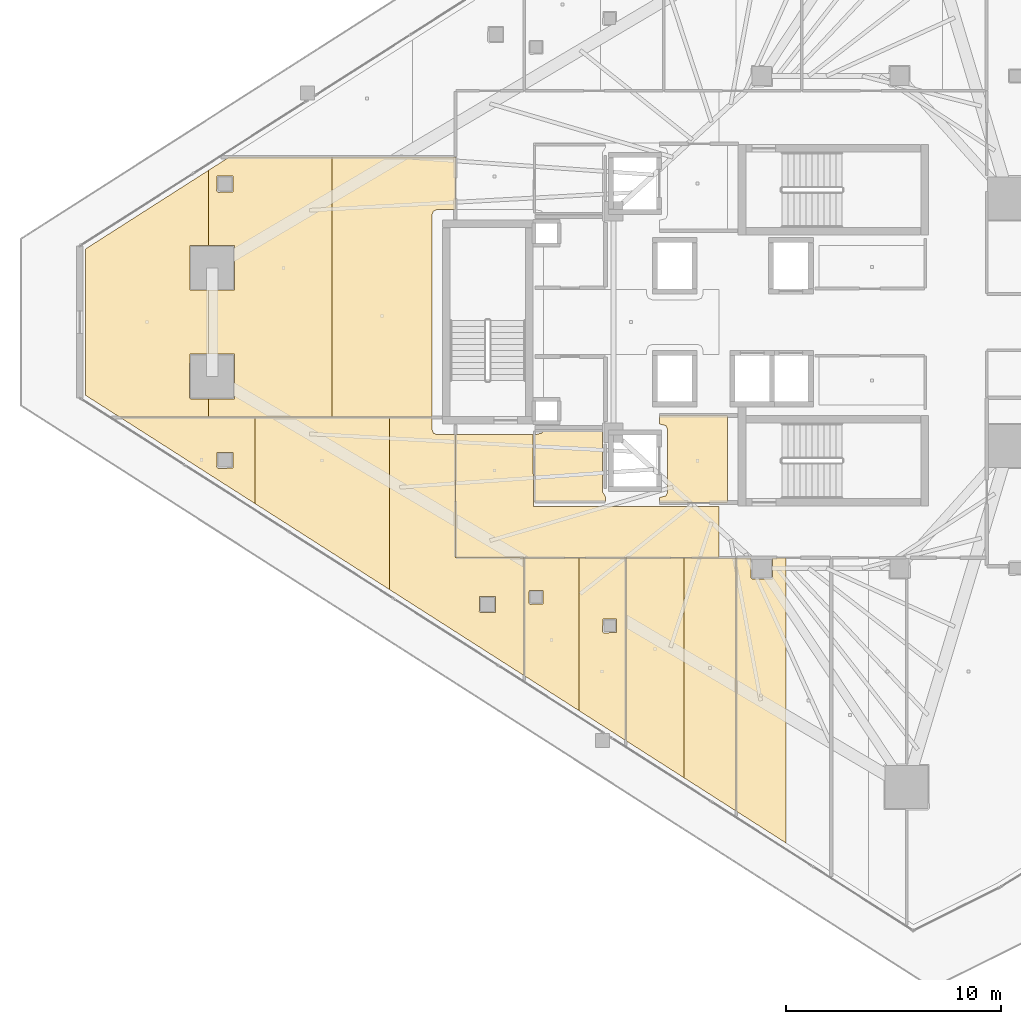
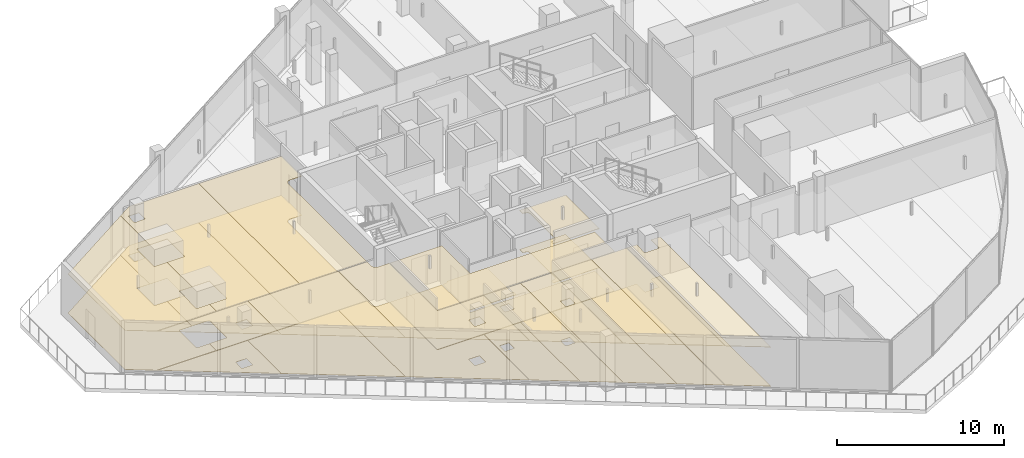
# One storey, part 31 of 37: 27 coverings.
"""IFC4 building model written with IfcOpenShell, lengths in metres."""

from ifc_helpers import new_model, si_unit, direction, frame, origin, place, context, subcontext, project, spatial, polyline, outline, extrude, material, layer, layer_set, type_object, element, save


model = new_model("IFC4")

# Units and contexts
model_context = context("Model", 3, precision=1e-05, world=origin(), true_north=direction((0.0, 1.0)))
body_context = subcontext(model_context, "Body", "Model", "MODEL_VIEW")
ifc_project = project(units=[si_unit("LENGTHUNIT", "METRE"), si_unit("AREAUNIT", "SQUARE_METRE"), si_unit("VOLUMEUNIT", "CUBIC_METRE"), si_unit("PLANEANGLEUNIT", "RADIAN"), si_unit("MASSUNIT", "GRAM", prefix="KILO")], contexts=[model_context])

# Site, building, storey
site_placement = place(None, origin())
site = spatial("IfcSite", under=ifc_project, at=site_placement, CompositionType="ELEMENT")
building_placement = place(site_placement, origin())
building = spatial("IfcBuilding", under=site, at=building_placement, Name="Qorvath Tower", CompositionType="ELEMENT")
storey_placement = place(building_placement, frame((0.0, 0.0, 188.85009765625)))
storey = spatial("IfcBuildingStorey", under=building, at=storey_placement, Name="L43", CompositionType="ELEMENT", Elevation=188.85009765625)

# Coverings
ifc_material_1 = material(Name="Acoustic mineral fibre ceiling tile", Category="gypsum")
ifc_layer_1 = layer(ifc_material_1, 0.030029296875)
ifc_layer_set_1 = layer_set([ifc_layer_1], Name="COV-CEIL")
covering_type_1 = type_object("IfcCoveringType", Name="COV-CEIL", PredefinedType="CEILING", material=ifc_layer_set_1)
covering_1_placement = place(storey_placement, frame((0.0, 0.0, 2.849853515625)))
element("IfcCovering", 1, at=covering_1_placement, inside=storey, type_object=covering_type_1, Name="L43 Suspended Acoustic Ceiling 002", PredefinedType="CEILING", context=body_context, shape_type="SweptSolid", body=[
    extrude(outline(polyline([(-25.18994140625, -8.39501953125), (-25.18994140625, -4.35498046875), (-28.375, -4.35498046875), (-28.375, -4.739990234375), (-28.063232421875, -4.813232421875), (-27.989990234375, -4.989990234375), (-27.989990234375, -7.909912109375), (-28.063232421875, -8.086669921875), (-28.375, -8.159912109375), (-28.375, -8.39501953125), (-25.18994140625, -8.39501953125)])), origin(), (0.0, 0.0, 1.0), 0.030029296875),
])
covering_2_placement = place(storey_placement, frame((0.0, 0.0, 2.849853515625)))
element("IfcCovering", 2, at=covering_2_placement, inside=storey, type_object=covering_type_1, Name="L43 Suspended Acoustic Ceiling 009", PredefinedType="CEILING", context=body_context, shape_type="SweptSolid", body=[
    extrude(outline(polyline([(-34.22509765625, -8.580078125), (-34.251220703125, -5.239990234375), (-37.844970703125, -5.239990234375), (-37.844970703125, -10.945068359375), (-25.6044921875, -10.945068359375), (-25.6044921875, -8.574462890625), (-34.22509765625, -8.580078125)])), origin(), (0.0, 0.0, 1.0), 0.030029296875),
])
covering_3_placement = place(storey_placement, frame((0.0, 0.0, 2.849853515625)))
element("IfcCovering", 3, at=covering_3_placement, inside=storey, type_object=covering_type_1, Name="L43 Suspended Acoustic Ceiling 019", PredefinedType="CEILING", context=body_context, shape_type="SweptSolid", body=[
    extrude(outline(polyline([(-34.64501953125, -10.962890625), (-34.64501953125, -16.4560546875), (-32.11865234375, -18.07080078125), (-32.11865234375, -10.962890625), (-34.64501953125, -10.962890625)]), holes=[polyline([(-34.439208984375, -13.0673828125), (-34.421630859375, -12.47509765625), (-33.786865234375, -12.47509765625), (-33.786865234375, -13.10986328125), (-34.379150390625, -13.12744140625), (-34.439208984375, -13.0673828125)])]), origin(), (0.0, 0.0, 1.0), 0.030029296875),
])
covering_4_placement = place(storey_placement, frame((0.0, 0.0, 2.849853515625)))
element("IfcCovering", 4, at=covering_4_placement, inside=storey, type_object=covering_type_1, Name="L43 Suspended Acoustic Ceiling 020", PredefinedType="CEILING", context=body_context, shape_type="SweptSolid", body=[
    extrude(outline(polyline([(-32.11865234375, -10.962890625), (-32.11865234375, -18.07080078125), (-29.942626953125, -19.46142578125), (-29.942626953125, -10.962890625), (-32.11865234375, -10.962890625)]), holes=[polyline([(-31.01220703125, -14.3994140625), (-30.99462890625, -13.806884765625), (-30.35986328125, -13.806884765625), (-30.35986328125, -14.441650390625), (-30.9521484375, -14.459228515625), (-31.01220703125, -14.3994140625)])]), origin(), (0.0, 0.0, 1.0), 0.030029296875),
])
covering_5_placement = place(storey_placement, frame((0.0, 0.0, 2.849853515625)))
element("IfcCovering", 5, at=covering_5_placement, inside=storey, type_object=covering_type_1, Name="L43 Suspended Acoustic Ceiling 021", PredefinedType="CEILING", context=body_context, shape_type="SweptSolid", body=[
    extrude(outline(polyline([(-27.22314453125, -21.199462890625), (-27.22314453125, -10.962890625), (-29.9248046875, -10.962890625), (-29.9248046875, -19.472900390625), (-27.22314453125, -21.199462890625)])), origin(), (0.0, 0.0, 1.0), 0.030029296875),
])
covering_6_placement = place(storey_placement, frame((0.0, 0.0, 2.849853515625)))
element("IfcCovering", 6, at=covering_6_placement, inside=storey, type_object=covering_type_1, Name="L43 Suspended Acoustic Ceiling 022", PredefinedType="CEILING", context=body_context, shape_type="SweptSolid", body=[
    extrude(outline(polyline([(-24.797607421875, -10.962890625), (-27.22314453125, -10.962890625), (-27.22314453125, -21.199462890625), (-24.797607421875, -22.749755859375), (-24.797607421875, -10.962890625)])), origin(), (0.0, 0.0, 1.0), 0.030029296875),
])
covering_7_placement = place(storey_placement, frame((0.0, 0.0, 2.849853515625)))
element("IfcCovering", 7, at=covering_7_placement, inside=storey, type_object=covering_type_1, Name="L43 Suspended Acoustic Ceiling 023", PredefinedType="CEILING", context=body_context, shape_type="SweptSolid", body=[
    extrude(outline(polyline([(-24.0947265625, -10.962890625), (-24.779541015625, -10.962890625), (-24.779541015625, -22.76123046875), (-22.486572265625, -24.226806640625), (-22.486572265625, -10.962890625), (-23.105224609375, -10.962890625), (-23.107666015625, -11.9423828125), (-24.050048828125, -11.9599609375), (-24.110107421875, -11.89990234375), (-24.0947265625, -10.962890625)])), origin(), (0.0, 0.0, 1.0), 0.030029296875),
])
covering_8_placement = place(storey_placement, frame((0.0, 0.0, 2.849853515625)))
element("IfcCovering", 8, at=covering_8_placement, inside=storey, type_object=covering_type_1, Name="L43 Suspended Acoustic Ceiling 039", PredefinedType="CEILING", context=body_context, shape_type="SweptSolid", body=[
    extrude(outline(polyline([(-47.185546875, -8.44091796875), (-47.185546875, -4.439208984375), (-53.44677734375, -4.439208984375), (-47.185546875, -8.44091796875)]), holes=[polyline([(-48.96337890625, -6.74951171875), (-48.94580078125, -6.05712890625), (-48.2109375, -6.05712890625), (-48.2109375, -6.7919921875), (-48.9033203125, -6.8095703125), (-48.96337890625, -6.74951171875)])]), origin(), (0.0, 0.0, 1.0), 0.030029296875),
])
covering_9_placement = place(storey_placement, frame((0.0, 0.0, 2.849853515625)))
element("IfcCovering", 9, at=covering_9_placement, inside=storey, type_object=covering_type_1, Name="L43 Suspended Acoustic Ceiling 040", PredefinedType="CEILING", context=body_context, shape_type="SweptSolid", body=[
    extrude(outline(polyline([(-40.92431640625, -12.442626953125), (-40.92431640625, -4.439208984375), (-47.185546875, -4.439208984375), (-47.185546875, -8.44091796875), (-40.92431640625, -12.442626953125)])), origin(), (0.0, 0.0, 1.0), 0.030029296875),
])
covering_10_placement = place(storey_placement, frame((0.0, 0.0, 2.849853515625)))
element("IfcCovering", 10, at=covering_10_placement, inside=storey, type_object=covering_type_1, Name="L43 Suspended Acoustic Ceiling 041", PredefinedType="CEILING", context=body_context, shape_type="SweptSolid", body=[
    extrude(outline(polyline([(-37.863037109375, -10.9580078125), (-37.863037109375, -5.239990234375), (-38.699951171875, -5.239990234375), (-38.876708984375, -5.166748046875), (-38.949951171875, -4.989990234375), (-38.949951171875, -4.439208984375), (-40.92431640625, -4.439208984375), (-40.92431640625, -12.442626953125), (-34.6630859375, -16.444580078125), (-34.6630859375, -10.962890625), (-37.863037109375, -10.9580078125)]), holes=[polyline([(-36.749755859375, -13.46044921875), (-36.732177734375, -12.76806640625), (-35.997314453125, -12.76806640625), (-35.997314453125, -13.5029296875), (-36.689697265625, -13.5205078125), (-36.749755859375, -13.46044921875)])]), origin(), (0.0, 0.0, 1.0), 0.030029296875),
])
covering_11_placement = place(storey_placement, frame((0.0, 0.0, 2.849853515625)))
element("IfcCovering", 11, at=covering_11_placement, inside=storey, type_object=covering_type_1, Name="L43 Suspended Acoustic Ceiling 042", PredefinedType="CEILING", context=body_context, shape_type="SweptSolid", body=[
    extrude(outline(polyline([(-49.336181640625, -4.421142578125), (-49.336181640625, -3.58056640625), (-50.171875, -3.587890625), (-50.23193359375, -3.52783203125), (-50.21435546875, -1.4853515625), (-49.336181640625, -1.4853515625), (-49.336181640625, 1.4853515625), (-50.21435546875, 1.4853515625), (-50.21435546875, 3.5703125), (-49.336181640625, 3.5703125), (-49.336181640625, 7.06640625), (-55.07275390625, 3.39990234375), (-55.07275390625, -3.39990234375), (-53.47509765625, -4.421142578125), (-49.336181640625, -4.421142578125)])), origin(), (0.0, 0.0, 1.0), 0.030029296875),
])
covering_12_placement = place(storey_placement, frame((0.0, 0.0, 2.849853515625)))
element("IfcCovering", 12, at=covering_12_placement, inside=storey, type_object=covering_type_1, Name="L43 Suspended Acoustic Ceiling 043", PredefinedType="CEILING", context=body_context, shape_type="SweptSolid", body=[
    extrude(outline(polyline([(-43.599609375, -4.421142578125), (-43.599609375, 7.675048828125), (-48.3837890625, 7.675048828125), (-49.336181640625, 7.06640625), (-49.336181640625, 3.5703125), (-48.12939453125, 3.5703125), (-48.12939453125, 1.4853515625), (-49.336181640625, 1.4853515625), (-49.336181640625, -1.4853515625), (-48.12939453125, -1.4853515625), (-48.12939453125, -3.5703125), (-49.336181640625, -3.58056640625), (-49.336181640625, -4.421142578125), (-43.599609375, -4.421142578125)]), holes=[polyline([(-48.96337890625, 6.099609375), (-48.94580078125, 6.7919921875), (-48.2109375, 6.7919921875), (-48.2109375, 6.05712890625), (-48.9033203125, 6.03955078125), (-48.96337890625, 6.099609375)])]), origin(), (0.0, 0.0, 1.0), 0.030029296875),
])
covering_13_placement = place(storey_placement, frame((0.0, 0.0, 2.849853515625)))
element("IfcCovering", 13, at=covering_13_placement, inside=storey, type_object=covering_type_1, Name="L43 Suspended Acoustic Ceiling 044", PredefinedType="CEILING", context=body_context, shape_type="SweptSolid", body=[
    extrude(outline(polyline([(-37.863037109375, 5.239990234375), (-37.863037109375, 7.675048828125), (-43.599609375, 7.675048828125), (-43.599609375, -4.421142578125), (-38.949951171875, -4.421142578125), (-38.949951171875, 4.989990234375), (-38.876708984375, 5.166748046875), (-38.699951171875, 5.239990234375), (-37.863037109375, 5.239990234375)])), origin(), (0.0, 0.0, 1.0), 0.030029296875),
])
ifc_material_2 = material(Name="Low-VOC modular carpet tile", Category="textile")
ifc_layer_2 = layer(ifc_material_2, 0.014892578125)
ifc_layer_set_2 = layer_set([ifc_layer_2], Name="COV-FLOOR-CPT")
covering_type_2 = type_object("IfcCoveringType", Name="COV-FLOOR-CPT", PredefinedType="FLOORING", material=ifc_layer_set_2)
covering_14_placement = place(storey_placement, origin())
element("IfcCovering", 14, at=covering_14_placement, inside=storey, type_object=covering_type_2, Name="L43 Floor Finish 019", PredefinedType="FLOORING", context=body_context, shape_type="SweptSolid", body=[
    extrude(outline(polyline([(-34.64501953125, -10.962890625), (-34.64501953125, -16.4560546875), (-32.11865234375, -18.07080078125), (-32.11865234375, -10.962890625), (-34.64501953125, -10.962890625)]), holes=[polyline([(-34.439208984375, -13.0673828125), (-34.421630859375, -12.47509765625), (-33.786865234375, -12.47509765625), (-33.786865234375, -13.10986328125), (-34.379150390625, -13.12744140625), (-34.439208984375, -13.0673828125)])]), origin(), (0.0, 0.0, 1.0), 0.014892578125),
])
covering_15_placement = place(storey_placement, origin())
element("IfcCovering", 15, at=covering_15_placement, inside=storey, type_object=covering_type_2, Name="L43 Floor Finish 020", PredefinedType="FLOORING", context=body_context, shape_type="SweptSolid", body=[
    extrude(outline(polyline([(-32.11865234375, -10.962890625), (-32.11865234375, -18.07080078125), (-29.942626953125, -19.46142578125), (-29.942626953125, -10.962890625), (-32.11865234375, -10.962890625)]), holes=[polyline([(-31.01220703125, -14.3994140625), (-30.99462890625, -13.806884765625), (-30.35986328125, -13.806884765625), (-30.35986328125, -14.441650390625), (-30.9521484375, -14.459228515625), (-31.01220703125, -14.3994140625)])]), origin(), (0.0, 0.0, 1.0), 0.014892578125),
])
covering_16_placement = place(storey_placement, origin())
element("IfcCovering", 16, at=covering_16_placement, inside=storey, type_object=covering_type_2, Name="L43 Floor Finish 021", PredefinedType="FLOORING", context=body_context, shape_type="SweptSolid", body=[
    extrude(outline(polyline([(-27.22314453125, -21.199462890625), (-27.22314453125, -10.962890625), (-29.9248046875, -10.962890625), (-29.9248046875, -19.472900390625), (-27.22314453125, -21.199462890625)])), origin(), (0.0, 0.0, 1.0), 0.014892578125),
])
covering_17_placement = place(storey_placement, origin())
element("IfcCovering", 17, at=covering_17_placement, inside=storey, type_object=covering_type_2, Name="L43 Floor Finish 022", PredefinedType="FLOORING", context=body_context, shape_type="SweptSolid", body=[
    extrude(outline(polyline([(-24.797607421875, -10.962890625), (-27.22314453125, -10.962890625), (-27.22314453125, -21.199462890625), (-24.797607421875, -22.749755859375), (-24.797607421875, -10.962890625)])), origin(), (0.0, 0.0, 1.0), 0.014892578125),
])
covering_18_placement = place(storey_placement, origin())
element("IfcCovering", 18, at=covering_18_placement, inside=storey, type_object=covering_type_2, Name="L43 Floor Finish 023", PredefinedType="FLOORING", context=body_context, shape_type="SweptSolid", body=[
    extrude(outline(polyline([(-24.0947265625, -10.962890625), (-24.779541015625, -10.962890625), (-24.779541015625, -22.76123046875), (-22.486572265625, -24.226806640625), (-22.486572265625, -10.962890625), (-23.105224609375, -10.962890625), (-23.107666015625, -11.9423828125), (-24.050048828125, -11.9599609375), (-24.110107421875, -11.89990234375), (-24.0947265625, -10.962890625)])), origin(), (0.0, 0.0, 1.0), 0.014892578125),
])
covering_19_placement = place(storey_placement, origin())
element("IfcCovering", 19, at=covering_19_placement, inside=storey, type_object=covering_type_2, Name="L43 Floor Finish 039", PredefinedType="FLOORING", context=body_context, shape_type="SweptSolid", body=[
    extrude(outline(polyline([(-47.185546875, -8.44091796875), (-47.185546875, -4.439208984375), (-53.44677734375, -4.439208984375), (-47.185546875, -8.44091796875)]), holes=[polyline([(-48.96337890625, -6.74951171875), (-48.94580078125, -6.05712890625), (-48.2109375, -6.05712890625), (-48.2109375, -6.7919921875), (-48.9033203125, -6.8095703125), (-48.96337890625, -6.74951171875)])]), origin(), (0.0, 0.0, 1.0), 0.014892578125),
])
covering_20_placement = place(storey_placement, origin())
element("IfcCovering", 20, at=covering_20_placement, inside=storey, type_object=covering_type_2, Name="L43 Floor Finish 040", PredefinedType="FLOORING", context=body_context, shape_type="SweptSolid", body=[
    extrude(outline(polyline([(-40.92431640625, -12.442626953125), (-40.92431640625, -4.439208984375), (-47.185546875, -4.439208984375), (-47.185546875, -8.44091796875), (-40.92431640625, -12.442626953125)])), origin(), (0.0, 0.0, 1.0), 0.014892578125),
])
covering_21_placement = place(storey_placement, origin())
element("IfcCovering", 21, at=covering_21_placement, inside=storey, type_object=covering_type_2, Name="L43 Floor Finish 041", PredefinedType="FLOORING", context=body_context, shape_type="SweptSolid", body=[
    extrude(outline(polyline([(-37.863037109375, -10.9580078125), (-37.863037109375, -5.239990234375), (-38.699951171875, -5.239990234375), (-38.876708984375, -5.166748046875), (-38.949951171875, -4.989990234375), (-38.949951171875, -4.439208984375), (-40.92431640625, -4.439208984375), (-40.92431640625, -12.442626953125), (-34.6630859375, -16.444580078125), (-34.6630859375, -10.962890625), (-37.863037109375, -10.9580078125)]), holes=[polyline([(-36.749755859375, -13.46044921875), (-36.732177734375, -12.76806640625), (-35.997314453125, -12.76806640625), (-35.997314453125, -13.5029296875), (-36.689697265625, -13.5205078125), (-36.749755859375, -13.46044921875)])]), origin(), (0.0, 0.0, 1.0), 0.014892578125),
])
covering_22_placement = place(storey_placement, origin())
element("IfcCovering", 22, at=covering_22_placement, inside=storey, type_object=covering_type_2, Name="L43 Floor Finish 042", PredefinedType="FLOORING", context=body_context, shape_type="SweptSolid", body=[
    extrude(outline(polyline([(-49.336181640625, -4.421142578125), (-49.336181640625, -3.58056640625), (-50.171875, -3.587890625), (-50.23193359375, -3.52783203125), (-50.21435546875, -1.4853515625), (-49.336181640625, -1.4853515625), (-49.336181640625, 1.4853515625), (-50.21435546875, 1.4853515625), (-50.21435546875, 3.5703125), (-49.336181640625, 3.5703125), (-49.336181640625, 7.06640625), (-55.07275390625, 3.39990234375), (-55.07275390625, -3.39990234375), (-53.47509765625, -4.421142578125), (-49.336181640625, -4.421142578125)])), origin(), (0.0, 0.0, 1.0), 0.014892578125),
])
covering_23_placement = place(storey_placement, origin())
element("IfcCovering", 23, at=covering_23_placement, inside=storey, type_object=covering_type_2, Name="L43 Floor Finish 043", PredefinedType="FLOORING", context=body_context, shape_type="SweptSolid", body=[
    extrude(outline(polyline([(-43.599609375, -4.421142578125), (-43.599609375, 7.675048828125), (-48.3837890625, 7.675048828125), (-49.336181640625, 7.06640625), (-49.336181640625, 3.5703125), (-48.12939453125, 3.5703125), (-48.12939453125, 1.4853515625), (-49.336181640625, 1.4853515625), (-49.336181640625, -1.4853515625), (-48.12939453125, -1.4853515625), (-48.12939453125, -3.5703125), (-49.336181640625, -3.58056640625), (-49.336181640625, -4.421142578125), (-43.599609375, -4.421142578125)]), holes=[polyline([(-48.96337890625, 6.099609375), (-48.94580078125, 6.7919921875), (-48.2109375, 6.7919921875), (-48.2109375, 6.05712890625), (-48.9033203125, 6.03955078125), (-48.96337890625, 6.099609375)])]), origin(), (0.0, 0.0, 1.0), 0.014892578125),
])
covering_24_placement = place(storey_placement, origin())
element("IfcCovering", 24, at=covering_24_placement, inside=storey, type_object=covering_type_2, Name="L43 Floor Finish 044", PredefinedType="FLOORING", context=body_context, shape_type="SweptSolid", body=[
    extrude(outline(polyline([(-37.863037109375, 5.239990234375), (-37.863037109375, 7.675048828125), (-43.599609375, 7.675048828125), (-43.599609375, -4.421142578125), (-38.949951171875, -4.421142578125), (-38.949951171875, 4.989990234375), (-38.876708984375, 5.166748046875), (-38.699951171875, 5.239990234375), (-37.863037109375, 5.239990234375)])), origin(), (0.0, 0.0, 1.0), 0.014892578125),
])
ifc_material_3 = material(Name="Polished epoxy terrazzo flooring", Category="concrete")
ifc_layer_3 = layer(ifc_material_3, 0.02001953125)
ifc_layer_set_3 = layer_set([ifc_layer_3], Name="COV-FLOOR-TRZ")
covering_type_3 = type_object("IfcCoveringType", Name="COV-FLOOR-TRZ", PredefinedType="FLOORING", material=ifc_layer_set_3)
covering_25_placement = place(storey_placement, origin())
element("IfcCovering", 25, at=covering_25_placement, inside=storey, type_object=covering_type_3, Name="L43 Floor Finish 002", PredefinedType="FLOORING", context=body_context, shape_type="SweptSolid", body=[
    extrude(outline(polyline([(-25.18994140625, -8.39501953125), (-25.18994140625, -4.35498046875), (-28.375, -4.35498046875), (-28.375, -4.739990234375), (-28.063232421875, -4.813232421875), (-27.989990234375, -4.989990234375), (-27.989990234375, -7.909912109375), (-28.063232421875, -8.086669921875), (-28.375, -8.159912109375), (-28.375, -8.39501953125), (-25.18994140625, -8.39501953125)])), origin(), (0.0, 0.0, 1.0), 0.014892578125),
])
covering_26_placement = place(storey_placement, origin())
element("IfcCovering", 26, at=covering_26_placement, inside=storey, type_object=covering_type_3, Name="L43 Floor Finish 007", PredefinedType="FLOORING", context=body_context, shape_type="SweptSolid", body=[
    extrude(outline(polyline([(-30.885009765625, -8.108154296875), (-31.010009765625, -7.909912109375), (-31.010009765625, -5.054931640625), (-33.786865234375, -5.054931640625), (-33.833251953125, -5.166748046875), (-34.175048828125, -5.239990234375), (-34.175048828125, -8.344970703125), (-30.885009765625, -8.344970703125), (-30.885009765625, -8.108154296875)])), origin(), (0.0, 0.0, 1.0), 0.014892578125),
])
covering_27_placement = place(storey_placement, origin())
element("IfcCovering", 27, at=covering_27_placement, inside=storey, type_object=covering_type_3, Name="L43 Floor Finish 009", PredefinedType="FLOORING", context=body_context, shape_type="SweptSolid", body=[
    extrude(outline(polyline([(-34.22509765625, -8.580078125), (-34.251220703125, -5.239990234375), (-37.844970703125, -5.239990234375), (-37.844970703125, -10.945068359375), (-25.6044921875, -10.945068359375), (-25.6044921875, -8.574462890625), (-34.22509765625, -8.580078125)])), origin(), (0.0, 0.0, 1.0), 0.014892578125),
])

save(model, "model.ifc")
